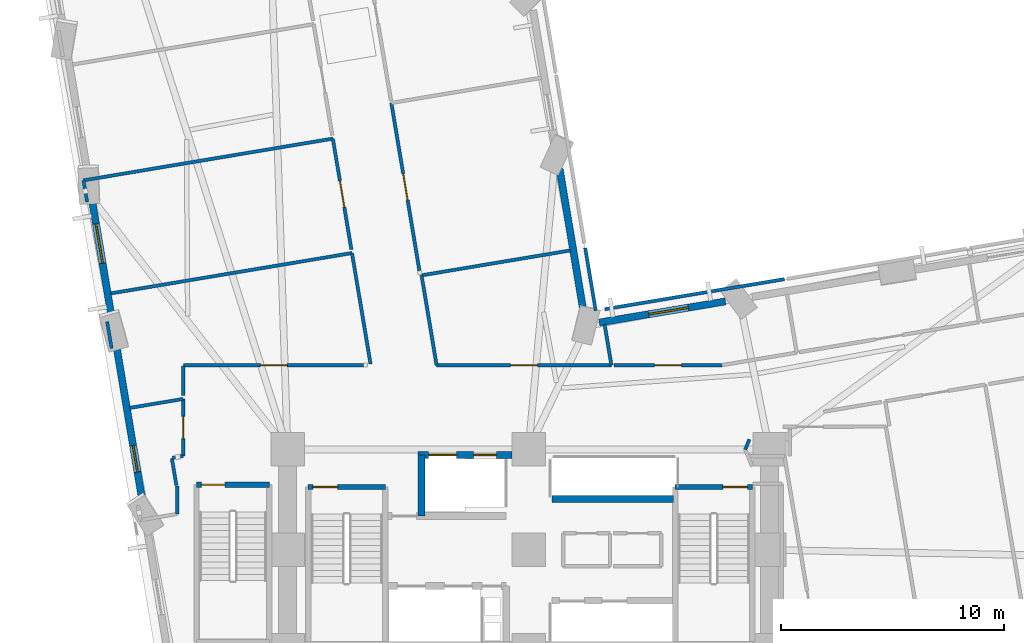
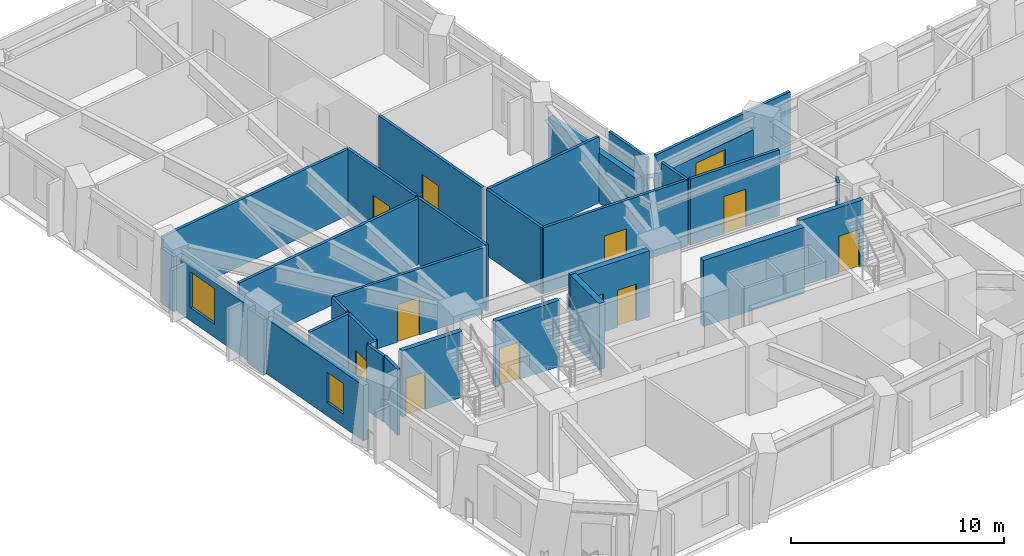
# One storey, part 9 of 16: 32 walls, 11 doors, 3 windows, 14 openings.
"""IFC4 building model written with IfcOpenShell, lengths in metres."""

from ifc_helpers import new_model, si_unit, direction, frame, frame_2d, origin, place, context, subcontext, project, spatial, rectangle, extrude, material, layer, layer_set, type_object, element, fill, save


model = new_model("IFC4")

# Units and contexts
model_context = context("Model", 3, precision=1e-05, world=origin(), true_north=direction((0.0, 1.0)))
body_context = subcontext(model_context, "Body", "Model", "MODEL_VIEW")
ifc_project = project(units=[si_unit("LENGTHUNIT", "METRE"), si_unit("AREAUNIT", "SQUARE_METRE"), si_unit("VOLUMEUNIT", "CUBIC_METRE"), si_unit("PLANEANGLEUNIT", "RADIAN"), si_unit("MASSUNIT", "GRAM", prefix="KILO")], contexts=[model_context])

# Site, building, storey
site_placement = place(None, origin())
site = spatial("IfcSite", under=ifc_project, at=site_placement, CompositionType="ELEMENT")
building_placement = place(site_placement, origin())
building = spatial("IfcBuilding", under=site, at=building_placement, Name="Gaonmaruhae Medical Tower", CompositionType="ELEMENT")
storey_placement = place(building_placement, frame((0.0, 0.0, 63.0)))
storey = spatial("IfcBuildingStorey", under=building, at=storey_placement, Name="L14", CompositionType="ELEMENT", Elevation=63.0)

# Wall, opening, window
ifc_material_1 = material(Name="Precast concrete C45/55", Category="concrete")
ifc_layer_1 = layer(ifc_material_1, 0.320068359375)
ifc_layer_set_1 = layer_set([ifc_layer_1], Name="Precast concrete C45/55")
wall_type_1 = type_object("IfcWallType", Name="EW-320 Lower Precast Masonry-Frame Facade Wall", PredefinedType="SOLIDWALL", material=ifc_layer_set_1)
wall_1_placement = place(storey_placement, frame((27.97119140625, 22.4892578125, 0.0), z_axis=(0.0, 0.0, 1.0), x_axis=(0.986285585068, 0.165047704276, 0.0)))
wall_1 = element("IfcWall", 1, at=wall_1_placement, inside=storey, type_object=wall_type_1, Name="L14 Precast Masonry-Frame Wall EN04-KN01", PredefinedType="SOLIDWALL", context=body_context, shape_type="SweptSolid", body=[
    extrude(rectangle(XDim=5.736328125, YDim=0.320068359375, at=frame_2d((2.8681640625, 0.0))), origin(), (0.0, 0.0, 1.0), 3.1650390625),
])
opening_1_placement = place(wall_1_placement, frame((2.243408203125, 0.0, 0.75)))
opening_1 = element("IfcOpeningElement", 2, at=opening_1_placement, cuts=wall_1, Name="Opening WN-04", PredefinedType="OPENING", context=body_context, shape_type="SweptSolid", body=[
    extrude(rectangle(XDim=1.800048828125, YDim=2.050048828125, at=frame_2d((0.89990234375, 1.02490234375))), frame((0.0, 0.169921875, 0.0), z_axis=(0.0, -1.0, 0.0), x_axis=(1.0, 0.0, 0.0)), (0.0, 0.0, 1.0), 0.340087890625),
])
ifc_material_2 = material(Name="Anodised aluminium and Low-E double glazing", Category="aluminium")
window_type_1 = type_object("IfcWindowType", Name="WN-04 Clinic & Consult Punched Window 1800x2050", PartitioningType="SINGLE_PANEL", PredefinedType="WINDOW", material=ifc_material_2)
window_1_placement = place(opening_1_placement, origin())
window_1 = element("IfcWindow", 3, at=window_1_placement, inside=storey, type_object=window_type_1, Name="L14 Modular Facade Window EN04", OverallHeight=2.050048828125, OverallWidth=1.800048828125, PartitioningType="SINGLE_PANEL", PredefinedType="WINDOW", context=body_context, shape_type="SweptSolid", body=[
    extrude(rectangle(XDim=1.800048828125, YDim=2.050048828125, at=frame_2d((0.89990234375, 1.02490234375))), frame((0.0, 0.030029296875, 0.0), z_axis=(0.0, -1.0, 0.0), x_axis=(1.0, 0.0, 0.0)), (0.0, 0.0, 1.0), 0.06005859375),
])
fill(opening_1, window_1)

# Wall
wall_2_placement = place(storey_placement, frame((27.271240234375, 22.933349609375, 0.0), z_axis=(0.0, 0.0, 1.0), x_axis=(-0.165059175066, 0.986283665447, 0.0)))
element("IfcWall", 4, at=wall_2_placement, inside=storey, type_object=wall_type_1, Name="L14 Precast Masonry-Frame Wall KN01-NE01", PredefinedType="SOLIDWALL", context=body_context, shape_type="SweptSolid", body=[
    extrude(rectangle(XDim=6.5361328125, YDim=0.320068359375, at=frame_2d((3.26806640625, 0.0))), origin(), (0.0, 0.0, 1.0), 2.864990234375),
])

# Wall, opening, window
wall_3_placement = place(storey_placement, frame((6.141845703125, 22.5673828125, 0.0), z_axis=(0.0, 0.0, 1.0), x_axis=(-0.165032330443, 0.986288157644, 0.0)))
wall_3 = element("IfcWall", 5, at=wall_3_placement, inside=storey, type_object=wall_type_1, Name="L14 Precast Masonry-Frame Wall W03-W04", PredefinedType="SOLIDWALL", context=body_context, shape_type="SweptSolid", body=[
    extrude(rectangle(XDim=5.43798828125, YDim=0.320068359375, at=frame_2d((2.718994140625, 0.0))), origin(), (0.0, 0.0, 1.0), 3.1650390625),
])
opening_2_placement = place(wall_3_placement, frame((2.613037109375, 0.0, 0.75)))
opening_2 = element("IfcOpeningElement", 6, at=opening_2_placement, cuts=wall_3, Name="Opening WN-04", PredefinedType="OPENING", context=body_context, shape_type="SweptSolid", body=[
    extrude(rectangle(XDim=1.800048828125, YDim=2.050048828125, at=frame_2d((0.89990234375, 1.02490234375))), frame((0.0, 0.169921875, 0.0), z_axis=(0.0, -1.0, 0.0), x_axis=(1.0, 0.0, 0.0)), (0.0, 0.0, 1.0), 0.340087890625),
])
window_2_placement = place(opening_2_placement, origin())
window_2 = element("IfcWindow", 7, at=window_2_placement, inside=storey, type_object=window_type_1, Name="L14 Modular Facade Window W03", OverallHeight=2.050048828125, OverallWidth=1.800048828125, PartitioningType="SINGLE_PANEL", PredefinedType="WINDOW", context=body_context, shape_type="SweptSolid", body=[
    extrude(rectangle(XDim=1.800048828125, YDim=2.050048828125, at=frame_2d((0.89990234375, 1.02490234375))), frame((0.0, 0.030029296875, 0.0), z_axis=(0.0, -1.0, 0.0), x_axis=(1.0, 0.0, 0.0)), (0.0, 0.0, 1.0), 0.06005859375),
])
fill(opening_2, window_2)

wall_4_placement = place(storey_placement, frame((7.520263671875, 14.330322265625, 0.0), z_axis=(0.0, 0.0, 1.0), x_axis=(-0.165031385205, 0.986288315807, 0.0)))
wall_4 = element("IfcWall", 8, at=wall_4_placement, inside=storey, type_object=wall_type_1, Name="L14 Precast Masonry-Frame Wall W04-W05", PredefinedType="SOLIDWALL", context=body_context, shape_type="SweptSolid", body=[
    extrude(rectangle(XDim=7.136474609375, YDim=0.320068359375, at=frame_2d((3.568359375, 0.0))), origin(), (0.0, 0.0, 1.0), 3.1650390625),
])
opening_3_placement = place(wall_4_placement, frame((1.4814453125, 0.0, 0.75)))
opening_3 = element("IfcOpeningElement", 9, at=opening_3_placement, cuts=wall_4, Name="Opening WN-05", PredefinedType="OPENING", context=body_context, shape_type="SweptSolid", body=[
    extrude(rectangle(XDim=1.199951171875, YDim=1.75, at=frame_2d((0.60009765625, 0.875))), frame((0.0, 0.169921875, 0.0), z_axis=(0.0, -1.0, 0.0), x_axis=(1.0, 0.0, 0.0)), (0.0, 0.0, 1.0), 0.340087890625),
])
window_type_2 = type_object("IfcWindowType", Name="WN-05 Support & Staff Punched Window 1200x1750", PartitioningType="SINGLE_PANEL", PredefinedType="WINDOW", material=ifc_material_2)
window_3_placement = place(opening_3_placement, origin())
window_3 = element("IfcWindow", 10, at=window_3_placement, inside=storey, type_object=window_type_2, Name="L14 Modular Facade Window W04", OverallHeight=1.75, OverallWidth=1.199951171875, PartitioningType="SINGLE_PANEL", PredefinedType="WINDOW", context=body_context, shape_type="SweptSolid", body=[
    extrude(rectangle(XDim=1.199951171875, YDim=1.75, at=frame_2d((0.60009765625, 0.875))), frame((0.0, 0.030029296875, 0.0), z_axis=(0.0, -1.0, 0.0), x_axis=(1.0, 0.0, 0.0)), (0.0, 0.0, 1.0), 0.06005859375),
])
fill(opening_3, window_3)

# Walls
ifc_material_3 = material(Name="Gypsum board partition", Category="gypsum")
ifc_layer_2 = layer(ifc_material_3, 0.14990234375)
ifc_layer_set_2 = layer_set([ifc_layer_2], Name="Gypsum board partition")
wall_type_2 = type_object("IfcWallType", Name="PW-150 Rated Clinical Corridor Partition", PredefinedType="PARTITIONING", material=ifc_layer_set_2)
wall_5_placement = place(storey_placement, frame((34.511962890625, 16.800048828125, 0.0), z_axis=(0.0, 0.0, 1.0), x_axis=(0.382673670509, 0.923883575944, 0.0)))
element("IfcWall", 11, at=wall_5_placement, inside=storey, type_object=wall_type_2, Name="L14 Interior Partition L14-TRM06-17", PredefinedType="PARTITIONING", context=body_context, shape_type="SweptSolid", body=[
    extrude(rectangle(XDim=0.4912109375, YDim=0.14990234375, at=frame_2d((0.24560546875, 0.0))), origin(), (0.0, 0.0, 1.0), 3.780029296875),
])
wall_6_placement = place(storey_placement, frame((8.81689453125, 16.39404296875, 0.0), z_axis=(0.0, 0.0, 1.0), x_axis=(0.165473534182, -0.98621423103, 0.0)))
element("IfcWall", 12, at=wall_6_placement, inside=storey, type_object=wall_type_2, Name="L14 Interior Partition L14-WOF12-41", PredefinedType="PARTITIONING", context=body_context, shape_type="SweptSolid", body=[
    extrude(rectangle(XDim=1.2158203125, YDim=0.14990234375, at=frame_2d((0.60791015625, 0.0))), origin(), (0.0, 0.0, 1.0), 3.780029296875),
])
wall_7_placement = place(storey_placement, frame((9.050048828125, 15.169921875, 0.0), z_axis=(0.0, 0.0, 1.0), x_axis=(0.0, -1.0, 0.0)))
element("IfcWall", 13, at=wall_7_placement, inside=storey, type_object=wall_type_2, Name="L14 Interior Partition L14-WOF12-42", PredefinedType="PARTITIONING", context=body_context, shape_type="SweptSolid", body=[
    extrude(rectangle(XDim=1.260986328125, YDim=0.14990234375, at=frame_2d((0.63037109375, 0.0))), origin(), (0.0, 0.0, 1.0), 3.780029296875),
])
wall_8_placement = place(storey_placement, frame((6.931884765625, 18.6640625, 0.0), z_axis=(0.0, 0.0, 1.0), x_axis=(0.986268287341, 0.165151038097, 0.0)))
element("IfcWall", 14, at=wall_8_placement, inside=storey, type_object=wall_type_2, Name="L14 Interior Partition L14-WOF12-45", PredefinedType="PARTITIONING", context=body_context, shape_type="SweptSolid", body=[
    extrude(rectangle(XDim=2.42138671875, YDim=0.14990234375, at=frame_2d((1.210693359375, 0.0))), origin(), (0.0, 0.0, 1.0), 3.780029296875),
])

# Wall, opening, door
wall_9_placement = place(storey_placement, frame((9.320068359375, 19.06396484375, 0.0), z_axis=(0.0, 0.0, 1.0), x_axis=(0.0, -1.0, 0.0)))
wall_9 = element("IfcWall", 15, at=wall_9_placement, inside=storey, type_object=wall_type_2, Name="L14 Interior Partition L14-WOF12-46", PredefinedType="PARTITIONING", context=body_context, shape_type="SweptSolid", body=[
    extrude(rectangle(XDim=2.554931640625, YDim=0.14990234375, at=frame_2d((1.27734375, 0.0))), origin(), (0.0, 0.0, 1.0), 3.780029296875),
])
opening_4_placement = place(wall_9_placement, frame((0.777587890625, 0.0, 0.0)))
opening_4 = element("IfcOpeningElement", 16, at=opening_4_placement, cuts=wall_9, Name="Opening CD-01", PredefinedType="OPENING", context=body_context, shape_type="SweptSolid", body=[
    extrude(rectangle(XDim=1.0, YDim=2.1201171875, at=frame_2d((0.5, 1.06005859375))), frame((0.0, 0.0849609375, 0.0), z_axis=(0.0, -1.0, 0.0), x_axis=(1.0, 0.0, 0.0)), (0.0, 0.0, 1.0), 0.169921875),
])
ifc_material_4 = material(Name="Antimicrobial laminate timber fire door", Category="wood")
door_type_1 = type_object("IfcDoorType", Name="CD-01 Consultation & Physician Office Door 1000x2120", OperationType="NOTDEFINED", PredefinedType="DOOR", material=ifc_material_4)
door_1_placement = place(opening_4_placement, origin())
door_1 = element("IfcDoor", 17, at=door_1_placement, inside=storey, type_object=door_type_1, Name="L14 Ward Physician Reporting Office Door", OperationType="SINGLE_SWING_RIGHT", OverallHeight=2.1201171875, OverallWidth=1.0, PredefinedType="DOOR", context=body_context, shape_type="SweptSolid", body=[
    extrude(rectangle(XDim=1.0, YDim=2.1201171875, at=frame_2d((0.5, 1.06005859375))), frame((0.0, 0.02490234375, 0.0), z_axis=(0.0, -1.0, 0.0), x_axis=(1.0, 0.0, 0.0)), (0.0, 0.0, 1.0), 0.050048828125),
])
fill(opening_4, door_1)

# Walls
wall_10_placement = place(storey_placement, frame((9.320068359375, 16.509033203125, 0.0), z_axis=(0.0, 0.0, 1.0), x_axis=(-0.986257448723, -0.165215752391, 0.0)))
element("IfcWall", 18, at=wall_10_placement, inside=storey, type_object=wall_type_2, Name="L14 Interior Partition L14-WOF12-47", PredefinedType="PARTITIONING", context=body_context, shape_type="SweptSolid", body=[
    extrude(rectangle(XDim=0.484619140625, YDim=0.14990234375, at=frame_2d((0.2421875, 0.0))), origin(), (0.0, 0.0, 1.0), 3.780029296875),
])
wall_11_placement = place(storey_placement, frame((9.320068359375, 20.550048828125, 0.0), z_axis=(0.0, 0.0, 1.0), x_axis=(0.0, -1.0, 0.0)))
element("IfcWall", 19, at=wall_11_placement, inside=storey, type_object=wall_type_2, Name="L14 Interior Partition L14-WOF13-48", PredefinedType="PARTITIONING", context=body_context, shape_type="SweptSolid", body=[
    extrude(rectangle(XDim=1.323974609375, YDim=0.14990234375, at=frame_2d((0.662109375, 0.0))), origin(), (0.0, 0.0, 1.0), 3.780029296875),
])
wall_12_placement = place(storey_placement, frame((6.115966796875, 21.3310546875, 0.0), z_axis=(0.0, 0.0, 1.0), x_axis=(-0.165278205734, 0.986246984639, 0.0)))
element("IfcWall", 20, at=wall_12_placement, inside=storey, type_object=wall_type_2, Name="L14 Interior Partition L14-WOF13-49", PredefinedType="PARTITIONING", context=body_context, shape_type="SweptSolid", body=[
    extrude(rectangle(XDim=1.215576171875, YDim=0.14990234375, at=frame_2d((0.60791015625, 0.0))), origin(), (0.0, 0.0, 1.0), 3.1650390625),
])
wall_13_placement = place(storey_placement, frame((6.073974609375, 23.79296875, 0.0), z_axis=(0.0, 0.0, 1.0), x_axis=(0.986279342954, 0.165085001324, 0.0)))
element("IfcWall", 21, at=wall_13_placement, inside=storey, type_object=wall_type_2, Name="L14 Interior Partition L14-WOF13-50", PredefinedType="PARTITIONING", context=body_context, shape_type="SweptSolid", body=[
    extrude(rectangle(XDim=10.96435546875, YDim=0.14990234375, at=frame_2d((5.482177734375, 0.0))), origin(), (0.0, 0.0, 1.0), 3.780029296875),
])
wall_14_placement = place(storey_placement, frame((16.887939453125, 25.60302734375, 0.0), z_axis=(0.0, 0.0, 1.0), x_axis=(0.165082339721, -0.986279788454, 0.0)))
element("IfcWall", 22, at=wall_14_placement, inside=storey, type_object=wall_type_2, Name="L14 Interior Partition L14-WOF13-51", PredefinedType="PARTITIONING", context=body_context, shape_type="SweptSolid", body=[
    extrude(rectangle(XDim=5.0400390625, YDim=0.14990234375, at=frame_2d((2.52001953125, 0.0))), origin(), (0.0, 0.0, 1.0), 3.780029296875),
])

# Wall, opening, door
wall_15_placement = place(storey_placement, frame((17.409912109375, 20.580078125, 0.0), z_axis=(0.0, 0.0, 1.0), x_axis=(-1.0, 0.0, 0.0)))
wall_15 = element("IfcWall", 23, at=wall_15_placement, inside=storey, type_object=wall_type_2, Name="L14 Interior Partition L14-WOF13-52", PredefinedType="PARTITIONING", context=body_context, shape_type="SweptSolid", body=[
    extrude(rectangle(XDim=8.06298828125, YDim=0.14990234375, at=frame_2d((4.031494140625, 0.0))), origin(), (0.0, 0.0, 1.0), 3.780029296875),
])
opening_5_placement = place(wall_15_placement, frame((3.431396484375, 0.0, 0.0)))
opening_5 = element("IfcOpeningElement", 24, at=opening_5_placement, cuts=wall_15, Name="Opening CD-02", PredefinedType="OPENING", context=body_context, shape_type="SweptSolid", body=[
    extrude(rectangle(XDim=1.199951171875, YDim=2.14990234375, at=frame_2d((0.60009765625, 1.074951171875))), frame((0.0, 0.0849609375, 0.0), z_axis=(0.0, -1.0, 0.0), x_axis=(1.0, 0.0, 0.0)), (0.0, 0.0, 1.0), 0.169921875),
])
door_type_2 = type_object("IfcDoorType", Name="CD-02 Clinical Treatment & Procedure Door 1200x2150", OperationType="NOTDEFINED", PredefinedType="DOOR", material=ifc_material_4)
door_2_placement = place(opening_5_placement, origin())
door_2 = element("IfcDoor", 25, at=door_2_placement, inside=storey, type_object=door_type_2, Name="L14 Ward Physician Reporting Office Door", OperationType="SINGLE_SWING_LEFT", OverallHeight=2.14990234375, OverallWidth=1.199951171875, PredefinedType="DOOR", context=body_context, shape_type="SweptSolid", body=[
    extrude(rectangle(XDim=1.199951171875, YDim=2.14990234375, at=frame_2d((0.60009765625, 1.074951171875))), frame((0.0, 0.02490234375, 0.0), z_axis=(0.0, -1.0, 0.0), x_axis=(1.0, 0.0, 0.0)), (0.0, 0.0, 1.0), 0.050048828125),
])
fill(opening_5, door_2)

# Wall
wall_16_placement = place(storey_placement, frame((4.85498046875, 28.861083984375, 0.0), z_axis=(0.0, 0.0, 1.0), x_axis=(0.986288313617, 0.165031398291, 0.0)))
element("IfcWall", 26, at=wall_16_placement, inside=storey, type_object=wall_type_2, Name="L14 Interior Partition L14-WOF14-53", PredefinedType="PARTITIONING", context=body_context, shape_type="SweptSolid", body=[
    extrude(rectangle(XDim=11.330322265625, YDim=0.14990234375, at=frame_2d((5.6650390625, 0.0))), origin(), (0.0, 0.0, 1.0), 3.780029296875),
])

# Wall, opening, door
wall_17_placement = place(storey_placement, frame((16.030029296875, 30.73095703125, 0.0), z_axis=(0.0, 0.0, 1.0), x_axis=(0.165113892935, -0.986274506595, 0.0)))
wall_17 = element("IfcWall", 27, at=wall_17_placement, inside=storey, type_object=wall_type_2, Name="L14 Interior Partition L14-WOF14-54", PredefinedType="PARTITIONING", context=body_context, shape_type="SweptSolid", body=[
    extrude(rectangle(XDim=5.0390625, YDim=0.14990234375, at=frame_2d((2.51953125, 0.0))), origin(), (0.0, 0.0, 1.0), 3.780029296875),
])
opening_6_placement = place(wall_17_placement, frame((1.919677734375, 0.0, 0.0)))
opening_6 = element("IfcOpeningElement", 28, at=opening_6_placement, cuts=wall_17, Name="Opening CD-02", PredefinedType="OPENING", context=body_context, shape_type="SweptSolid", body=[
    extrude(rectangle(XDim=1.199951171875, YDim=2.14990234375, at=frame_2d((0.60009765625, 1.074951171875))), frame((0.0, 0.0849609375, 0.0), z_axis=(0.0, -1.0, 0.0), x_axis=(1.0, 0.0, 0.0)), (0.0, 0.0, 1.0), 0.169921875),
])
door_3_placement = place(opening_6_placement, origin())
door_3 = element("IfcDoor", 29, at=door_3_placement, inside=storey, type_object=door_type_2, Name="L14 Ward Physician Reporting Office Door", OperationType="SINGLE_SWING_LEFT", OverallHeight=2.14990234375, OverallWidth=1.199951171875, PredefinedType="DOOR", context=body_context, shape_type="SweptSolid", body=[
    extrude(rectangle(XDim=1.199951171875, YDim=2.14990234375, at=frame_2d((0.60009765625, 1.074951171875))), frame((0.0, 0.02490234375, 0.0), z_axis=(0.0, -1.0, 0.0), x_axis=(1.0, 0.0, 0.0)), (0.0, 0.0, 1.0), 0.050048828125),
])
fill(opening_6, door_3)

# Walls
wall_18_placement = place(storey_placement, frame((5.01708984375, 27.89306640625, 0.0), z_axis=(0.0, 0.0, 1.0), x_axis=(-0.165165334955, 0.98626589322, 0.0)))
element("IfcWall", 30, at=wall_18_placement, inside=storey, type_object=wall_type_2, Name="L14 Interior Partition L14-WOF14-55", PredefinedType="PARTITIONING", context=body_context, shape_type="SweptSolid", body=[
    extrude(rectangle(XDim=0.9814453125, YDim=0.14990234375, at=frame_2d((0.49072265625, 0.0))), origin(), (0.0, 0.0, 1.0), 3.1650390625),
])
wall_19_placement = place(storey_placement, frame((20.006103515625, 24.60400390625, 0.0), z_axis=(0.0, 0.0, 1.0), x_axis=(0.986281351786, 0.165072999363, 0.0)))
element("IfcWall", 31, at=wall_19_placement, inside=storey, type_object=wall_type_2, Name="L14 Interior Partition L14-IE01-67", PredefinedType="PARTITIONING", context=body_context, shape_type="SweptSolid", body=[
    extrude(rectangle(XDim=6.754638671875, YDim=0.14990234375, at=frame_2d((3.37744140625, 0.0))), origin(), (0.0, 0.0, 1.0), 3.780029296875),
])
wall_20_placement = place(storey_placement, frame((27.343994140625, 25.83203125, 0.0), z_axis=(0.0, 0.0, 1.0), x_axis=(0.164899046121, -0.98631045041, 0.0)))
element("IfcWall", 32, at=wall_20_placement, inside=storey, type_object=wall_type_2, Name="L14 Interior Partition L14-IE01-68", PredefinedType="PARTITIONING", context=body_context, shape_type="SweptSolid", body=[
    extrude(rectangle(XDim=2.85009765625, YDim=0.14990234375, at=frame_2d((1.425048828125, 0.0))), origin(), (0.0, 0.0, 1.0), 3.780029296875),
])
wall_21_placement = place(storey_placement, frame((28.2109375, 22.39306640625, 0.0), z_axis=(0.0, 0.0, 1.0), x_axis=(0.165346517666, -0.98623553429, 0.0)))
element("IfcWall", 33, at=wall_21_placement, inside=storey, type_object=wall_type_2, Name="L14 Interior Partition L14-IE01-69", PredefinedType="PARTITIONING", context=body_context, shape_type="SweptSolid", body=[
    extrude(rectangle(XDim=1.83837890625, YDim=0.14990234375, at=frame_2d((0.919189453125, 0.0))), origin(), (0.0, 0.0, 1.0), 3.780029296875),
])

# Wall, opening, door
wall_22_placement = place(storey_placement, frame((28.514892578125, 20.580078125, 0.0), z_axis=(0.0, 0.0, 1.0), x_axis=(-1.0, 0.0, 0.0)))
wall_22 = element("IfcWall", 34, at=wall_22_placement, inside=storey, type_object=wall_type_2, Name="L14 Interior Partition L14-IE01-70", PredefinedType="PARTITIONING", context=body_context, shape_type="SweptSolid", body=[
    extrude(rectangle(XDim=7.8359375, YDim=0.14990234375, at=frame_2d((3.91796875, 0.0))), origin(), (0.0, 0.0, 1.0), 3.780029296875),
])
opening_7_placement = place(wall_22_placement, frame((3.318115234375, 0.0, 0.0)))
opening_7 = element("IfcOpeningElement", 35, at=opening_7_placement, cuts=wall_22, Name="Opening CD-02", PredefinedType="OPENING", context=body_context, shape_type="SweptSolid", body=[
    extrude(rectangle(XDim=1.199951171875, YDim=2.14990234375, at=frame_2d((0.60009765625, 1.074951171875))), frame((0.0, 0.0849609375, 0.0), z_axis=(0.0, -1.0, 0.0), x_axis=(1.0, 0.0, 0.0)), (0.0, 0.0, 1.0), 0.169921875),
])
door_4_placement = place(opening_7_placement, origin())
door_4 = element("IfcDoor", 36, at=door_4_placement, inside=storey, type_object=door_type_2, Name="L14 Central Clinical Nurse Station Door", OperationType="SINGLE_SWING_LEFT", OverallHeight=2.14990234375, OverallWidth=1.199951171875, PredefinedType="DOOR", context=body_context, shape_type="SweptSolid", body=[
    extrude(rectangle(XDim=1.199951171875, YDim=2.14990234375, at=frame_2d((0.60009765625, 1.074951171875))), frame((0.0, 0.02490234375, 0.0), z_axis=(0.0, -1.0, 0.0), x_axis=(1.0, 0.0, 0.0)), (0.0, 0.0, 1.0), 0.050048828125),
])
fill(opening_7, door_4)

# Walls
wall_23_placement = place(storey_placement, frame((20.678955078125, 20.580078125, 0.0), z_axis=(0.0, 0.0, 1.0), x_axis=(-0.164922980953, 0.9863064485, 0.0)))
element("IfcWall", 37, at=wall_23_placement, inside=storey, type_object=wall_type_2, Name="L14 Interior Partition L14-IE01-71", PredefinedType="PARTITIONING", context=body_context, shape_type="SweptSolid", body=[
    extrude(rectangle(XDim=4.079833984375, YDim=0.14990234375, at=frame_2d((2.0400390625, 0.0))), origin(), (0.0, 0.0, 1.0), 3.780029296875),
])
wall_24_placement = place(storey_placement, frame((28.217041015625, 23.087890625, 0.0), z_axis=(0.0, 0.0, 1.0), x_axis=(0.986291085267, 0.16501483304, 0.0)))
element("IfcWall", 38, at=wall_24_placement, inside=storey, type_object=wall_type_2, Name="L14 Interior Partition L14-IE02-72", PredefinedType="PARTITIONING", context=body_context, shape_type="SweptSolid", body=[
    extrude(rectangle(XDim=8.163818359375, YDim=0.14990234375, at=frame_2d((4.08203125, 0.0))), origin(), (0.0, 0.0, 1.0), 3.780029296875),
])

# Wall, opening, door
wall_25_placement = place(storey_placement, frame((33.466064453125, 20.580078125, 0.0), z_axis=(0.0, 0.0, 1.0), x_axis=(-1.0, 0.0, 0.0)))
wall_25 = element("IfcWall", 39, at=wall_25_placement, inside=storey, type_object=wall_type_2, Name="L14 Interior Partition L14-IE02-75", PredefinedType="PARTITIONING", context=body_context, shape_type="SweptSolid", body=[
    extrude(rectangle(XDim=4.830078125, YDim=0.14990234375, at=frame_2d((2.4150390625, 0.0))), origin(), (0.0, 0.0, 1.0), 3.780029296875),
])
opening_8_placement = place(wall_25_placement, frame((1.81494140625, 0.0, 0.0)))
opening_8 = element("IfcOpeningElement", 40, at=opening_8_placement, cuts=wall_25, Name="Opening CD-02", PredefinedType="OPENING", context=body_context, shape_type="SweptSolid", body=[
    extrude(rectangle(XDim=1.199951171875, YDim=2.14990234375, at=frame_2d((0.60009765625, 1.074951171875))), frame((0.0, 0.0849609375, 0.0), z_axis=(0.0, -1.0, 0.0), x_axis=(1.0, 0.0, 0.0)), (0.0, 0.0, 1.0), 0.169921875),
])
door_5_placement = place(opening_8_placement, origin())
door_5 = element("IfcDoor", 41, at=door_5_placement, inside=storey, type_object=door_type_2, Name="L14 Acute Treatment Examination Room Door", OperationType="SINGLE_SWING_LEFT", OverallHeight=2.14990234375, OverallWidth=1.199951171875, PredefinedType="DOOR", context=body_context, shape_type="SweptSolid", body=[
    extrude(rectangle(XDim=1.199951171875, YDim=2.14990234375, at=frame_2d((0.60009765625, 1.074951171875))), frame((0.0, 0.02490234375, 0.0), z_axis=(0.0, -1.0, 0.0), x_axis=(1.0, 0.0, 0.0)), (0.0, 0.0, 1.0), 0.050048828125),
])
fill(opening_8, door_5)

wall_26_placement = place(storey_placement, frame((19.912109375, 24.801025390625, 0.0), z_axis=(0.0, 0.0, 1.0), x_axis=(-0.165036777902, 0.986287413455, 0.0)))
wall_26 = element("IfcWall", 42, at=wall_26_placement, inside=storey, type_object=wall_type_2, Name="L14 Interior Partition L14-IN01-90", PredefinedType="PARTITIONING", context=body_context, shape_type="SweptSolid", body=[
    extrude(rectangle(XDim=7.634765625, YDim=0.14990234375, at=frame_2d((3.8173828125, 0.0))), origin(), (0.0, 0.0, 1.0), 3.780029296875),
])
opening_9_placement = place(wall_26_placement, frame((3.21728515625, 0.0, 0.0)))
opening_9 = element("IfcOpeningElement", 43, at=opening_9_placement, cuts=wall_26, Name="Opening CD-02", PredefinedType="OPENING", context=body_context, shape_type="SweptSolid", body=[
    extrude(rectangle(XDim=1.199951171875, YDim=2.14990234375, at=frame_2d((0.60009765625, 1.074951171875))), frame((0.0, 0.0849609375, 0.0), z_axis=(0.0, -1.0, 0.0), x_axis=(1.0, 0.0, 0.0)), (0.0, 0.0, 1.0), 0.169921875),
])
door_6_placement = place(opening_9_placement, origin())
door_6 = element("IfcDoor", 44, at=door_6_placement, inside=storey, type_object=door_type_2, Name="L14 Physician Consultation Office Door", OperationType="SINGLE_SWING_LEFT", OverallHeight=2.14990234375, OverallWidth=1.199951171875, PredefinedType="DOOR", context=body_context, shape_type="SweptSolid", body=[
    extrude(rectangle(XDim=1.199951171875, YDim=2.14990234375, at=frame_2d((0.60009765625, 1.074951171875))), frame((0.0, 0.02490234375, 0.0), z_axis=(0.0, -1.0, 0.0), x_axis=(1.0, 0.0, 0.0)), (0.0, 0.0, 1.0), 0.050048828125),
])
fill(opening_9, door_6)

ifc_material_5 = material(Name="Concrete C50/60", Category="concrete")
ifc_layer_3 = layer(ifc_material_5, 0.239990234375)
ifc_layer_set_3 = layer_set([ifc_layer_3], Name="Concrete C50/60")
wall_type_3 = type_object("IfcWallType", Name="SW-240 Dogleg Stair Tight Shaft Wall", PredefinedType="SOLIDWALL", material=ifc_layer_set_3)
wall_27_placement = place(storey_placement, frame((14.919921875, 15.1201171875, 0.0), z_axis=(0.0, 0.0, 1.0), x_axis=(1.0, 0.0, 0.0)))
wall_27 = element("IfcWall", 45, at=wall_27_placement, inside=storey, type_object=wall_type_3, Name="L14 ST-01 Stair Shaft Wall SHW-ST-01-N", PredefinedType="SOLIDWALL", context=body_context, shape_type="SweptSolid", body=[
    extrude(rectangle(XDim=3.4599609375, YDim=0.239990234375, at=frame_2d((1.72998046875, 0.0))), origin(), (0.0, 0.0, 1.0), 3.780029296875),
])
opening_10_placement = place(wall_27_placement, frame((0.219970703125, 0.0, 0.0)))
opening_10 = element("IfcOpeningElement", 46, at=opening_10_placement, cuts=wall_27, Name="Opening FD-01", PredefinedType="OPENING", context=body_context, shape_type="SweptSolid", body=[
    extrude(rectangle(XDim=1.10009765625, YDim=2.14990234375, at=frame_2d((0.550048828125, 1.074951171875))), frame((0.0, 0.1298828125, 0.0), z_axis=(0.0, -1.0, 0.0), x_axis=(1.0, 0.0, 0.0)), (0.0, 0.0, 1.0), 0.260009765625),
])
ifc_material_6 = material(Name="Powder-coated steel fire door", Category="steel")
door_type_3 = type_object("IfcDoorType", Name="FD-01 Escape Stair Protected Fire Door 1100x2150", OperationType="NOTDEFINED", PredefinedType="DOOR", material=ifc_material_6)
door_7_placement = place(opening_10_placement, origin())
door_7 = element("IfcDoor", 47, at=door_7_placement, inside=storey, type_object=door_type_3, Name="L14 ST-01 Protected Escape Stair Door", OperationType="SINGLE_SWING_LEFT", OverallHeight=2.14990234375, OverallWidth=1.10009765625, PredefinedType="DOOR", context=body_context, shape_type="SweptSolid", body=[
    extrude(rectangle(XDim=1.10009765625, YDim=2.14990234375, at=frame_2d((0.550048828125, 1.074951171875))), frame((0.0, 0.02490234375, 0.0), z_axis=(0.0, -1.0, 0.0), x_axis=(1.0, 0.0, 0.0)), (0.0, 0.0, 1.0), 0.050048828125),
])
fill(opening_10, door_7)

wall_28_placement = place(storey_placement, frame((31.3701171875, 15.1201171875, 0.0), z_axis=(0.0, 0.0, 1.0), x_axis=(1.0, 0.0, 0.0)))
wall_28 = element("IfcWall", 48, at=wall_28_placement, inside=storey, type_object=wall_type_3, Name="L14 ST-02 Stair Shaft Wall SHW-ST-02-N", PredefinedType="SOLIDWALL", context=body_context, shape_type="SweptSolid", body=[
    extrude(rectangle(XDim=3.4599609375, YDim=0.239990234375, at=frame_2d((1.72998046875, 0.0))), origin(), (0.0, 0.0, 1.0), 3.780029296875),
])
opening_11_placement = place(wall_28_placement, frame((2.139892578125, 0.0, 0.0)))
opening_11 = element("IfcOpeningElement", 49, at=opening_11_placement, cuts=wall_28, Name="Opening FD-01", PredefinedType="OPENING", context=body_context, shape_type="SweptSolid", body=[
    extrude(rectangle(XDim=1.10009765625, YDim=2.14990234375, at=frame_2d((0.550048828125, 1.074951171875))), frame((0.0, 0.1298828125, 0.0), z_axis=(0.0, -1.0, 0.0), x_axis=(1.0, 0.0, 0.0)), (0.0, 0.0, 1.0), 0.260009765625),
])
door_8_placement = place(opening_11_placement, origin())
door_8 = element("IfcDoor", 50, at=door_8_placement, inside=storey, type_object=door_type_3, Name="L14 ST-02 Protected Escape Stair Door", OperationType="SINGLE_SWING_RIGHT", OverallHeight=2.14990234375, OverallWidth=1.10009765625, PredefinedType="DOOR", context=body_context, shape_type="SweptSolid", body=[
    extrude(rectangle(XDim=1.10009765625, YDim=2.14990234375, at=frame_2d((0.550048828125, 1.074951171875))), frame((0.0, 0.02490234375, 0.0), z_axis=(0.0, -1.0, 0.0), x_axis=(1.0, 0.0, 0.0)), (0.0, 0.0, 1.0), 0.050048828125),
])
fill(opening_11, door_8)

wall_29_placement = place(storey_placement, frame((9.919921875, 15.219970703125, 0.0), z_axis=(0.0, 0.0, 1.0), x_axis=(1.0, 0.0, 0.0)))
wall_29 = element("IfcWall", 51, at=wall_29_placement, inside=storey, type_object=wall_type_3, Name="L14 ST-03 Stair Shaft Wall SHW-ST-03-N", PredefinedType="SOLIDWALL", context=body_context, shape_type="SweptSolid", body=[
    extrude(rectangle(XDim=3.260009765625, YDim=0.239990234375, at=frame_2d((1.6298828125, 0.0))), origin(), (0.0, 0.0, 1.0), 3.780029296875),
])
opening_12_placement = place(wall_29_placement, frame((0.219970703125, 0.0, 0.0)))
opening_12 = element("IfcOpeningElement", 52, at=opening_12_placement, cuts=wall_29, Name="Opening FD-02", PredefinedType="OPENING", context=body_context, shape_type="SweptSolid", body=[
    extrude(rectangle(XDim=1.050048828125, YDim=2.14990234375, at=frame_2d((0.52490234375, 1.074951171875))), frame((0.0, 0.1298828125, 0.0), z_axis=(0.0, -1.0, 0.0), x_axis=(1.0, 0.0, 0.0)), (0.0, 0.0, 1.0), 0.260009765625),
])
door_type_4 = type_object("IfcDoorType", Name="FD-02 Secondary Stair Fire Door 1050x2150", OperationType="NOTDEFINED", PredefinedType="DOOR", material=ifc_material_6)
door_9_placement = place(opening_12_placement, origin())
door_9 = element("IfcDoor", 53, at=door_9_placement, inside=storey, type_object=door_type_4, Name="L14 ST-03 Protected Escape Stair Door", OperationType="SINGLE_SWING_LEFT", OverallHeight=2.14990234375, OverallWidth=1.050048828125, PredefinedType="DOOR", context=body_context, shape_type="SweptSolid", body=[
    extrude(rectangle(XDim=1.050048828125, YDim=2.14990234375, at=frame_2d((0.52490234375, 1.074951171875))), frame((0.0, 0.02490234375, 0.0), z_axis=(0.0, -1.0, 0.0), x_axis=(1.0, 0.0, 0.0)), (0.0, 0.0, 1.0), 0.050048828125),
])
fill(opening_12, door_9)

# Wall, openings, doors
ifc_layer_4 = layer(ifc_material_5, 0.300048828125)
ifc_layer_set_4 = layer_set([ifc_layer_4], Name="Concrete C50/60")
wall_type_4 = type_object("IfcWallType", Name="SW-300 Stair & Lift Hoistway Shaft Wall", PredefinedType="SOLIDWALL", material=ifc_layer_set_4)
wall_30_placement = place(storey_placement, frame((19.85009765625, 16.550048828125, 0.0), z_axis=(0.0, 0.0, 1.0), x_axis=(1.0, 0.0, 0.0)))
wall_30 = element("IfcWall", 54, at=wall_30_placement, inside=storey, type_object=wall_type_4, Name="L14 Core Shear Wall CSW-NB", PredefinedType="SOLIDWALL", context=body_context, shape_type="SweptSolid", body=[
    extrude(rectangle(XDim=4.199951171875, YDim=0.300048828125, at=frame_2d((2.10009765625, 0.0))), origin(), (0.0, 0.0, 1.0), 3.780029296875),
])
opening_13_placement = place(wall_30_placement, frame((0.47509765625, 0.0, 0.0)))
opening_13 = element("IfcOpeningElement", 55, at=opening_13_placement, cuts=wall_30, Name="Opening LD-F1", PredefinedType="OPENING", context=body_context, shape_type="SweptSolid", body=[
    extrude(rectangle(XDim=1.25, YDim=2.179931640625, at=frame_2d((0.625, 1.08984375))), frame((0.0, 0.16015625, 0.0), z_axis=(0.0, -1.0, 0.0), x_axis=(1.0, 0.0, 0.0)), (0.0, 0.0, 1.0), 0.320068359375),
])
opening_14_placement = place(wall_30_placement, frame((2.489990234375, 0.0, 0.0)))
opening_14 = element("IfcOpeningElement", 56, at=opening_14_placement, cuts=wall_30, Name="Opening LD-S1", PredefinedType="OPENING", context=body_context, shape_type="SweptSolid", body=[
    extrude(rectangle(XDim=1.02001953125, YDim=2.1201171875, at=frame_2d((0.510009765625, 1.06005859375))), frame((0.0, 0.16015625, 0.0), z_axis=(0.0, -1.0, 0.0), x_axis=(1.0, 0.0, 0.0)), (0.0, 0.0, 1.0), 0.320068359375),
])
ifc_material_7 = material(Name="Brushed stainless steel 316L landing door", Category="steel")
door_type_5 = type_object("IfcDoorType", Name="LD-F1 Firefighting & Bed Lift Sliding Landing Door 1250x2180", OperationType="NOTDEFINED", PredefinedType="DOOR", material=ifc_material_7)
door_10_placement = place(opening_13_placement, origin())
door_10 = element("IfcDoor", 57, at=door_10_placement, inside=storey, type_object=door_type_5, Name="L14 Service/Bed Lift Landing Door BDL-01", OperationType="DOUBLE_DOOR_SLIDING", OverallHeight=2.179931640625, OverallWidth=1.25, PredefinedType="DOOR", context=body_context, shape_type="SweptSolid", body=[
    extrude(rectangle(XDim=1.25, YDim=2.179931640625, at=frame_2d((0.625, 1.08984375))), frame((0.0, 0.02490234375, 0.0), z_axis=(0.0, -1.0, 0.0), x_axis=(1.0, 0.0, 0.0)), (0.0, 0.0, 1.0), 0.050048828125),
])
fill(opening_13, door_10)
ifc_material_8 = material(Name="Brushed stainless steel 304 landing door", Category="steel")
door_type_6 = type_object("IfcDoorType", Name="LD-S1 Service Lift Sliding Landing Door 1020x2120", OperationType="NOTDEFINED", PredefinedType="DOOR", material=ifc_material_8)
door_11_placement = place(opening_14_placement, origin())
door_11 = element("IfcDoor", 58, at=door_11_placement, inside=storey, type_object=door_type_6, Name="L14 Service/Bed Lift Landing Door SVL-01", OperationType="SLIDING_TO_LEFT", OverallHeight=2.1201171875, OverallWidth=1.02001953125, PredefinedType="DOOR", context=body_context, shape_type="SweptSolid", body=[
    extrude(rectangle(XDim=1.02001953125, YDim=2.1201171875, at=frame_2d((0.510009765625, 1.06005859375))), frame((0.0, 0.02490234375, 0.0), z_axis=(0.0, -1.0, 0.0), x_axis=(1.0, 0.0, 0.0)), (0.0, 0.0, 1.0), 0.050048828125),
])
fill(opening_14, door_11)

# Walls
wall_31_placement = place(storey_placement, frame((20.0, 13.820068359375, 0.0), z_axis=(0.0, 0.0, 1.0), x_axis=(0.0, 1.0, 0.0)))
element("IfcWall", 59, at=wall_31_placement, inside=storey, type_object=wall_type_4, Name="L14 Shaft Enclosure Wall SHW-BDW", PredefinedType="SOLIDWALL", context=body_context, shape_type="SweptSolid", body=[
    extrude(rectangle(XDim=2.72998046875, YDim=0.300048828125, at=frame_2d((1.364990234375, 0.0))), origin(), (0.0, 0.0, 1.0), 3.780029296875),
])
wall_32_placement = place(storey_placement, frame((25.85009765625, 14.580078125, 0.0), z_axis=(0.0, 0.0, 1.0), x_axis=(1.0, 0.0, 0.0)))
element("IfcWall", 60, at=wall_32_placement, inside=storey, type_object=wall_type_4, Name="L14 Shaft Enclosure Wall SHW-PLN", PredefinedType="SOLIDWALL", context=body_context, shape_type="SweptSolid", body=[
    extrude(rectangle(XDim=5.449951171875, YDim=0.300048828125, at=frame_2d((2.72509765625, 0.0))), origin(), (0.0, 0.0, 1.0), 3.780029296875),
])

save(model, "model.ifc")
